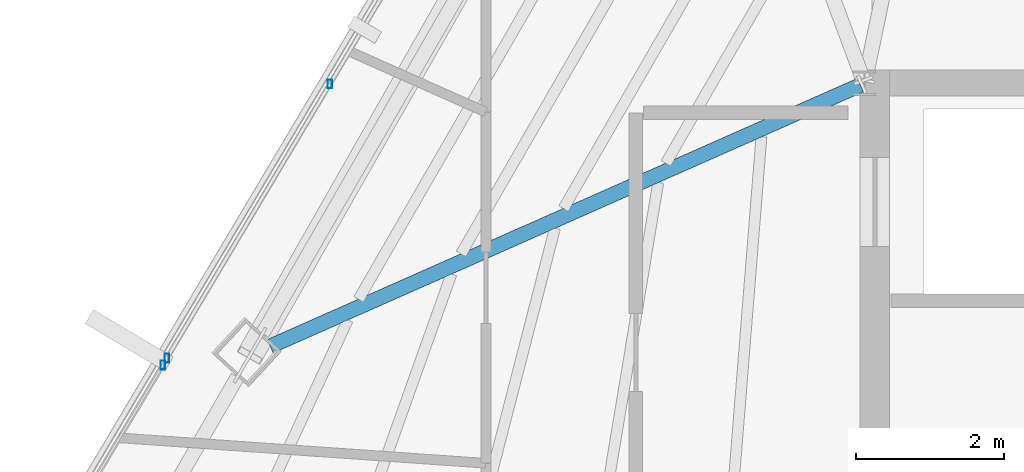
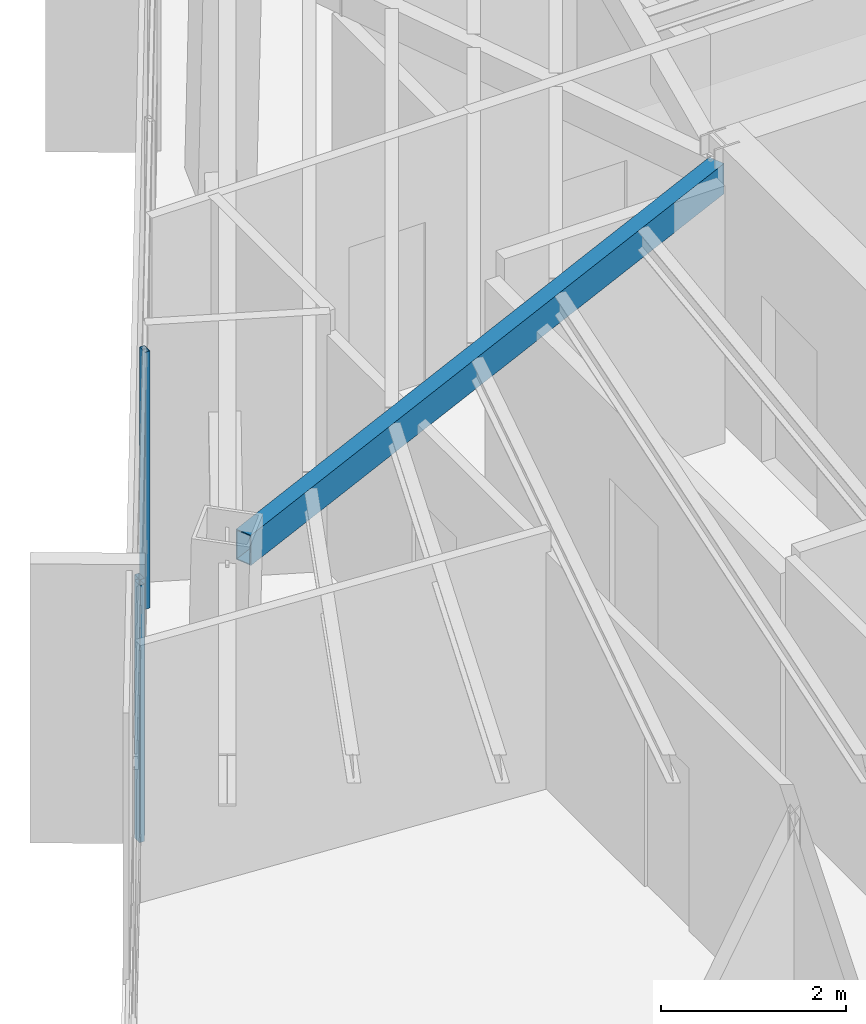
# One storey, part 15 of 42: 3 members, 1 beam, 2 elements without a shape of their own.
"""IFC4 building model written with IfcOpenShell, lengths in metres."""

from ifc_helpers import new_model, si_unit, direction, frame, origin, origin_2d, place, context, subcontext, project, spatial, hollow_rectangle, extrude, source, transform, mapped, material, material_profile, profile_set, type_object, type_shapes, element, aggregate, save


model = new_model("IFC4")

# Units and contexts
model_context = context("Model", 3, precision=1e-05, world=origin(), true_north=direction((0.0, 1.0)))
body_context = subcontext(model_context, "Body", "Model", "MODEL_VIEW")
ifc_project = project(units=[si_unit("LENGTHUNIT", "METRE"), si_unit("AREAUNIT", "SQUARE_METRE"), si_unit("VOLUMEUNIT", "CUBIC_METRE"), si_unit("PLANEANGLEUNIT", "RADIAN"), si_unit("MASSUNIT", "GRAM", prefix="KILO")], contexts=[model_context])

# Site, building, storey
site_placement = place(None, origin())
site = spatial("IfcSite", under=ifc_project, at=site_placement, CompositionType="ELEMENT")
building_placement = place(site_placement, origin())
building = spatial("IfcBuilding", under=site, at=building_placement, Name="Caelisora Broadcast Tower", CompositionType="ELEMENT")
storey_placement = place(building_placement, frame((0.0, 0.0, 244.449951171875)))
storey = spatial("IfcBuildingStorey", under=building, at=storey_placement, Name="L64", CompositionType="ELEMENT", Elevation=244.449951171875)

# Beam
ifc_material_1 = material(Name="Steel Grade 350 (AS/NZS 1163 C350L0)", Category="steel")
ifc_material_profile_1 = material_profile(ifc_material_1, hollow_rectangle(XDim=0.199951171875, YDim=0.39990234375, WallThickness=0.012451171875, at=origin_2d()), Name="Steel Grade 350 (AS/NZS 1163 C350L0)")
ifc_profile_set_1 = profile_set([ifc_material_profile_1], Name="Steel Grade 350 (AS/NZS 1163 C350L0)")
beam_type = type_object("IfcBeamType", Name="PG07", PredefinedType="BEAM", material=ifc_profile_set_1)
shared_shape_1 = source(origin(), body_context, "Body", "SweptSolid", [
    extrude(hollow_rectangle(XDim=0.199951171875, YDim=0.39990234375, WallThickness=0.012451171875, at=origin_2d()), origin(), (0.0, 0.0, 1.0), 8.696044921875),
])
type_shapes(beam_type, [shared_shape_1])
beam_placement = place(storey_placement, frame((30.445068359375, 29.9755859375, 3.199951171875), z_axis=(-0.914410262468, -0.404788675599, 0.0), x_axis=(0.404788675599, -0.914410262468, 0.0)))
element("IfcBeam", 1, at=beam_placement, inside=storey, type_object=beam_type, Name="L64 beam PG07", PredefinedType="BEAM", context=body_context, shape_type="MappedRepresentation", body=[
    mapped(shared_shape_1, transform((0.0, 0.0, 0.0), scale=1.0)),
])

# Curtain wall, member
ifc_material_2 = material(Name="Unitised Aluminium and Low-E Glass Curtain Wall", Category="glass")
curtain_wall_type_1 = type_object("IfcCurtainWallType", Name="CW-Z5", PredefinedType="NOTDEFINED", material=ifc_material_2)
curtain_wall_1_placement = place(storey_placement, origin())
curtain_wall_1 = element("IfcCurtainWall", 2, at=curtain_wall_1_placement, inside=storey, type_object=curtain_wall_type_1, Name="L64 curtain wall CW-Z5", PredefinedType="NOTDEFINED")
ifc_material_3 = material(Name="Aluminium 6063-T6 Anodised Terracotta Bronze", Category="aluminium")
ifc_material_profile_2 = material_profile(ifc_material_3, hollow_rectangle(XDim=0.06005859375, YDim=0.1201171875, WallThickness=0.0029296875, at=origin_2d()), Name="Aluminium 6063-T6 Anodised Terracotta Bronze")
ifc_profile_set_2 = profile_set([ifc_material_profile_2], Name="Aluminium 6063-T6 Anodised Terracotta Bronze")
member_type = type_object("IfcMemberType", Name="CWM-04", PredefinedType="MULLION", material=ifc_profile_set_2)
shared_shape_2 = source(origin(), body_context, "Body", "SweptSolid", [
    extrude(hollow_rectangle(XDim=0.06005859375, YDim=0.1201171875, WallThickness=0.0029296875, at=origin_2d()), origin(), (0.0, 0.0, 1.0), 3.400146484375),
])
type_shapes(member_type, [shared_shape_2])
member_1_placement = place(storey_placement, frame((21.046142578125, 26.2021484375, 0.0), z_axis=(0.0, 0.0, 1.0), x_axis=(1.0, 0.0, 0.0)))
member_1 = element("IfcMember", 3, at=member_1_placement, type_object=member_type, Name="L64-CW-B09 mullion #3", PredefinedType="MULLION", context=body_context, shape_type="MappedRepresentation", body=[
    mapped(shared_shape_2, transform((0.0, 0.0, 0.0), scale=1.0)),
])
aggregate(curtain_wall_1, [member_1])

# Curtain wall, members
ifc_material_4 = material(Name="Unitised Aluminium Insulated Shadow-Box Spandrel Curtain Wall", Category="aluminium")
curtain_wall_type_2 = type_object("IfcCurtainWallType", Name="CW-SP3", PredefinedType="NOTDEFINED", material=ifc_material_4)
curtain_wall_2_placement = place(storey_placement, origin())
curtain_wall_2 = element("IfcCurtainWall", 4, at=curtain_wall_2_placement, inside=storey, type_object=curtain_wall_type_2, Name="L64 curtain wall CW-SP3", PredefinedType="NOTDEFINED")
member_2_placement = place(storey_placement, frame((21.102294921875, 26.296630859375, 0.0), z_axis=(0.0, 0.0, 1.0), x_axis=(1.0, 0.0, 0.0)))
member_2 = element("IfcMember", 5, at=member_2_placement, type_object=member_type, Name="L64-CW-B10 mullion #0", PredefinedType="MULLION", context=body_context, shape_type="MappedRepresentation", body=[
    mapped(shared_shape_2, transform((0.0, 0.0, 0.0), scale=1.0)),
])
member_3_placement = place(storey_placement, frame((23.29833984375, 29.990234375, 0.0), z_axis=(0.0, 0.0, 1.0), x_axis=(1.0, 0.0, 0.0)))
member_3 = element("IfcMember", 6, at=member_3_placement, type_object=member_type, Name="L64-CW-B10 mullion #1", PredefinedType="MULLION", context=body_context, shape_type="MappedRepresentation", body=[
    mapped(shared_shape_2, transform((0.0, 0.0, 0.0), scale=1.0)),
])
aggregate(curtain_wall_2, [member_2, member_3])

save(model, "model.ifc")
